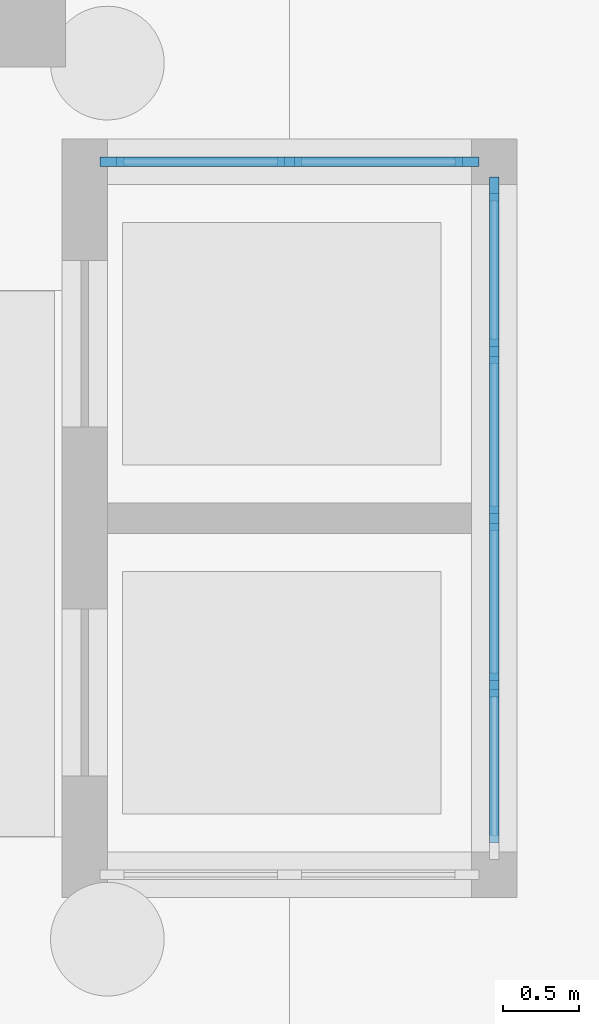
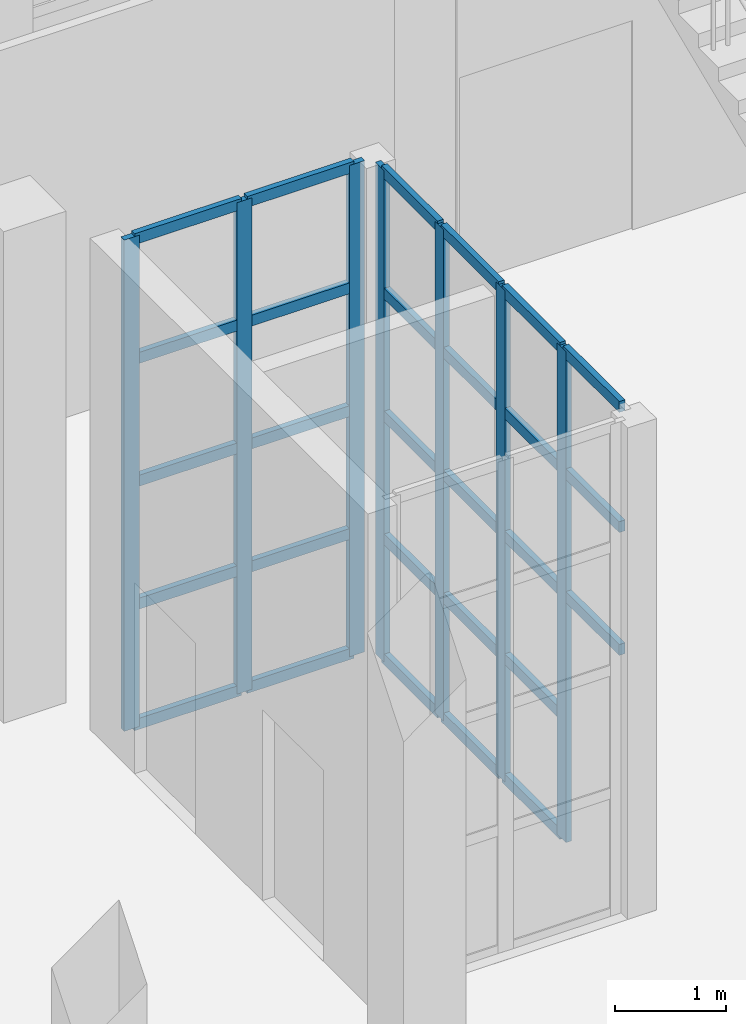
# One storey, part 12 of 80: 35 members, 2 elements without a shape of their own.
"""IFC4 building model written with IfcOpenShell, lengths in metres."""

from ifc_helpers import new_model, si_unit, direction, frame, origin, origin_2d, place, context, subcontext, project, spatial, rectangle, extrude, material, layer, layer_set, material_profile, profile_set, type_object, element, aggregate, save


model = new_model("IFC4")

# Units and contexts
model_context = context("Model", 3, precision=1e-05, world=origin(), true_north=direction((0.0, 1.0)))
body_context = subcontext(model_context, "Body", "Model", "MODEL_VIEW")
ifc_project = project(units=[si_unit("LENGTHUNIT", "METRE"), si_unit("AREAUNIT", "SQUARE_METRE"), si_unit("VOLUMEUNIT", "CUBIC_METRE"), si_unit("PLANEANGLEUNIT", "RADIAN"), si_unit("MASSUNIT", "GRAM", prefix="KILO")], contexts=[model_context])

# Site, building, storey
site_placement = place(None, origin())
site = spatial("IfcSite", under=ifc_project, at=site_placement, CompositionType="ELEMENT")
building_placement = place(site_placement, origin())
building = spatial("IfcBuilding", under=site, at=building_placement, Name="Ussher Court Research Institute", CompositionType="ELEMENT")
storey_placement = place(building_placement, origin())
storey = spatial("IfcBuildingStorey", under=building, at=storey_placement, Name="L00", CompositionType="ELEMENT", Elevation=0.0)

# Curtain wall, members
ifc_material_1 = material(Name="Bronze anodised aluminium with low-e glass", Category="aluminium")
ifc_layer = layer(ifc_material_1, 0.1201171875)
ifc_layer_set = layer_set([ifc_layer], Name="Bronze anodised aluminium with low-e glass")
curtain_wall_type = type_object("IfcCurtainWallType", Name="Curtain wall atrium clear glazing", PredefinedType="NOTDEFINED", material=ifc_layer_set)
curtain_wall_1_placement = place(storey_placement, origin())
curtain_wall_1 = element("IfcCurtainWall", 1, at=curtain_wall_1_placement, inside=storey, type_object=curtain_wall_type, Name="Curtain wall CW2 lift shaft L00", PredefinedType="NOTDEFINED")
ifc_material_2 = material(Name="Bronze anodised aluminium", Category="aluminium")
ifc_material_profile_1 = material_profile(ifc_material_2, rectangle(XDim=0.06005859375, YDim=0.159912109375, at=origin_2d()), Name="Mullion 60x160")
ifc_profile_set_1 = profile_set([ifc_material_profile_1], Name="Bronze anodised aluminium")
member_type_1 = type_object("IfcMemberType", Name="Mullion 60x160", PredefinedType="MULLION", material=ifc_profile_set_1)
member_1_placement = place(storey_placement, frame((42.929931640625, 31.85009765625, 0.0), z_axis=(0.0, 0.0, 1.0), x_axis=(0.0, 1.0, 0.0)))
member_1 = element("IfcMember", 2, at=member_1_placement, type_object=member_type_1, Name="CW2 mullion 1", PredefinedType="MULLION", context=body_context, shape_type="SweptSolid", body=[
    extrude(rectangle(XDim=0.06005859375, YDim=0.159912109375, at=origin_2d()), origin(), (0.0, 0.0, 1.0), 5.39990234375),
])
member_2_placement = place(storey_placement, frame((44.10009765625, 31.85009765625, 0.0), z_axis=(0.0, 0.0, 1.0), x_axis=(0.0, 1.0, 0.0)))
member_2 = element("IfcMember", 3, at=member_2_placement, type_object=member_type_1, Name="CW2 mullion 2", PredefinedType="MULLION", context=body_context, shape_type="SweptSolid", body=[
    extrude(rectangle(XDim=0.06005859375, YDim=0.159912109375, at=origin_2d()), origin(), (0.0, 0.0, 1.0), 5.39990234375),
])
member_3_placement = place(storey_placement, frame((45.27001953125, 31.85009765625, 0.0), z_axis=(0.0, 0.0, 1.0), x_axis=(0.0, 1.0, 0.0)))
member_3 = element("IfcMember", 4, at=member_3_placement, type_object=member_type_1, Name="CW2 mullion 3", PredefinedType="MULLION", context=body_context, shape_type="SweptSolid", body=[
    extrude(rectangle(XDim=0.06005859375, YDim=0.159912109375, at=origin_2d()), origin(), (0.0, 0.0, 1.0), 5.39990234375),
])

curtain_wall_2_placement = place(storey_placement, origin())
curtain_wall_2 = element("IfcCurtainWall", 5, at=curtain_wall_2_placement, inside=storey, type_object=curtain_wall_type, Name="Curtain wall CW2 lift shaft L00", PredefinedType="NOTDEFINED")
member_4_placement = place(storey_placement, frame((45.449951171875, 28.39990234375, 0.0), z_axis=(0.0, 0.0, 1.0), x_axis=(-1.0, 0.0, 0.0)))
member_4 = element("IfcMember", 6, at=member_4_placement, type_object=member_type_1, Name="CW2 mullion 2", PredefinedType="MULLION", context=body_context, shape_type="SweptSolid", body=[
    extrude(rectangle(XDim=0.06005859375, YDim=0.159912109375, at=origin_2d()), origin(), (0.0, 0.0, 1.0), 5.39990234375),
])
member_5_placement = place(storey_placement, frame((45.449951171875, 29.5, 0.0), z_axis=(0.0, 0.0, 1.0), x_axis=(-1.0, 0.0, 0.0)))
member_5 = element("IfcMember", 7, at=member_5_placement, type_object=member_type_1, Name="CW2 mullion 3", PredefinedType="MULLION", context=body_context, shape_type="SweptSolid", body=[
    extrude(rectangle(XDim=0.06005859375, YDim=0.159912109375, at=origin_2d()), origin(), (0.0, 0.0, 1.0), 5.39990234375),
])
member_6_placement = place(storey_placement, frame((45.449951171875, 30.60009765625, 0.0), z_axis=(0.0, 0.0, 1.0), x_axis=(-1.0, 0.0, 0.0)))
member_6 = element("IfcMember", 8, at=member_6_placement, type_object=member_type_1, Name="CW2 mullion 4", PredefinedType="MULLION", context=body_context, shape_type="SweptSolid", body=[
    extrude(rectangle(XDim=0.06005859375, YDim=0.159912109375, at=origin_2d()), origin(), (0.0, 0.0, 1.0), 5.39990234375),
])
member_7_placement = place(storey_placement, frame((45.449951171875, 31.669921875, 0.0), z_axis=(0.0, 0.0, 1.0), x_axis=(-1.0, 0.0, 0.0)))
member_7 = element("IfcMember", 9, at=member_7_placement, type_object=member_type_1, Name="CW2 mullion 5", PredefinedType="MULLION", context=body_context, shape_type="SweptSolid", body=[
    extrude(rectangle(XDim=0.06005859375, YDim=0.159912109375, at=origin_2d()), origin(), (0.0, 0.0, 1.0), 5.39990234375),
])

# Member
ifc_material_3 = material(Name="Bronze anodised aluminium", Category="aluminium")
ifc_material_profile_2 = material_profile(ifc_material_3, rectangle(XDim=0.06005859375, YDim=0.1201171875, at=origin_2d()), Name="Transom 60x120")
ifc_profile_set_2 = profile_set([ifc_material_profile_2], Name="Bronze anodised aluminium")
member_type_2 = type_object("IfcMemberType", Name="Transom 60x120", PredefinedType="USERDEFINED", material=ifc_profile_set_2)
member_8_placement = place(storey_placement, frame((42.9599609375, 31.85009765625, 0.030029296875), z_axis=(1.0, 0.0, 0.0), x_axis=(0.0, 1.0, 0.0)))
member_8 = element("IfcMember", 10, at=member_8_placement, type_object=member_type_2, Name="CW2 transom 1.1", ObjectType="TRANSOM", PredefinedType="USERDEFINED", context=body_context, shape_type="SweptSolid", body=[
    extrude(rectangle(XDim=0.06005859375, YDim=0.1201171875, at=origin_2d()), origin(), (0.0, 0.0, 1.0), 1.110107421875),
])

member_9_placement = place(storey_placement, frame((42.9599609375, 31.85009765625, 1.35009765625), z_axis=(1.0, 0.0, 0.0), x_axis=(0.0, 1.0, 0.0)))
member_9 = element("IfcMember", 11, at=member_9_placement, type_object=member_type_2, Name="CW2 transom 1.2", ObjectType="TRANSOM", PredefinedType="USERDEFINED", context=body_context, shape_type="SweptSolid", body=[
    extrude(rectangle(XDim=0.06005859375, YDim=0.1201171875, at=origin_2d()), origin(), (0.0, 0.0, 1.0), 1.110107421875),
])

member_10_placement = place(storey_placement, frame((42.9599609375, 31.85009765625, 2.699951171875), z_axis=(1.0, 0.0, 0.0), x_axis=(0.0, 1.0, 0.0)))
member_10 = element("IfcMember", 12, at=member_10_placement, type_object=member_type_2, Name="CW2 transom 1.3", ObjectType="TRANSOM", PredefinedType="USERDEFINED", context=body_context, shape_type="SweptSolid", body=[
    extrude(rectangle(XDim=0.06005859375, YDim=0.1201171875, at=origin_2d()), origin(), (0.0, 0.0, 1.0), 1.110107421875),
])

member_11_placement = place(storey_placement, frame((42.9599609375, 31.85009765625, 4.050048828125), z_axis=(1.0, 0.0, 0.0), x_axis=(0.0, 1.0, 0.0)))
member_11 = element("IfcMember", 13, at=member_11_placement, type_object=member_type_2, Name="CW2 transom 1.4", ObjectType="TRANSOM", PredefinedType="USERDEFINED", context=body_context, shape_type="SweptSolid", body=[
    extrude(rectangle(XDim=0.06005859375, YDim=0.1201171875, at=origin_2d()), origin(), (0.0, 0.0, 1.0), 1.110107421875),
])

member_12_placement = place(storey_placement, frame((42.9599609375, 31.85009765625, 5.3701171875), z_axis=(1.0, 0.0, 0.0), x_axis=(0.0, 1.0, 0.0)))
member_12 = element("IfcMember", 14, at=member_12_placement, type_object=member_type_2, Name="CW2 transom 1.5", ObjectType="TRANSOM", PredefinedType="USERDEFINED", context=body_context, shape_type="SweptSolid", body=[
    extrude(rectangle(XDim=0.06005859375, YDim=0.1201171875, at=origin_2d()), origin(), (0.0, 0.0, 1.0), 1.110107421875),
])

member_13_placement = place(storey_placement, frame((44.1298828125, 31.85009765625, 0.030029296875), z_axis=(1.0, 0.0, 0.0), x_axis=(0.0, 1.0, 0.0)))
member_13 = element("IfcMember", 15, at=member_13_placement, type_object=member_type_2, Name="CW2 transom 2.1", ObjectType="TRANSOM", PredefinedType="USERDEFINED", context=body_context, shape_type="SweptSolid", body=[
    extrude(rectangle(XDim=0.06005859375, YDim=0.1201171875, at=origin_2d()), origin(), (0.0, 0.0, 1.0), 1.110107421875),
])

member_14_placement = place(storey_placement, frame((44.1298828125, 31.85009765625, 1.35009765625), z_axis=(1.0, 0.0, 0.0), x_axis=(0.0, 1.0, 0.0)))
member_14 = element("IfcMember", 16, at=member_14_placement, type_object=member_type_2, Name="CW2 transom 2.2", ObjectType="TRANSOM", PredefinedType="USERDEFINED", context=body_context, shape_type="SweptSolid", body=[
    extrude(rectangle(XDim=0.06005859375, YDim=0.1201171875, at=origin_2d()), origin(), (0.0, 0.0, 1.0), 1.110107421875),
])

member_15_placement = place(storey_placement, frame((44.1298828125, 31.85009765625, 2.699951171875), z_axis=(1.0, 0.0, 0.0), x_axis=(0.0, 1.0, 0.0)))
member_15 = element("IfcMember", 17, at=member_15_placement, type_object=member_type_2, Name="CW2 transom 2.3", ObjectType="TRANSOM", PredefinedType="USERDEFINED", context=body_context, shape_type="SweptSolid", body=[
    extrude(rectangle(XDim=0.06005859375, YDim=0.1201171875, at=origin_2d()), origin(), (0.0, 0.0, 1.0), 1.110107421875),
])

member_16_placement = place(storey_placement, frame((44.1298828125, 31.85009765625, 4.050048828125), z_axis=(1.0, 0.0, 0.0), x_axis=(0.0, 1.0, 0.0)))
member_16 = element("IfcMember", 18, at=member_16_placement, type_object=member_type_2, Name="CW2 transom 2.4", ObjectType="TRANSOM", PredefinedType="USERDEFINED", context=body_context, shape_type="SweptSolid", body=[
    extrude(rectangle(XDim=0.06005859375, YDim=0.1201171875, at=origin_2d()), origin(), (0.0, 0.0, 1.0), 1.110107421875),
])

member_17_placement = place(storey_placement, frame((44.1298828125, 31.85009765625, 5.3701171875), z_axis=(1.0, 0.0, 0.0), x_axis=(0.0, 1.0, 0.0)))
member_17 = element("IfcMember", 19, at=member_17_placement, type_object=member_type_2, Name="CW2 transom 2.5", ObjectType="TRANSOM", PredefinedType="USERDEFINED", context=body_context, shape_type="SweptSolid", body=[
    extrude(rectangle(XDim=0.06005859375, YDim=0.1201171875, at=origin_2d()), origin(), (0.0, 0.0, 1.0), 1.110107421875),
])

aggregate(curtain_wall_1, [member_1, member_2, member_3, member_8, member_9, member_10, member_11, member_12, member_13, member_14, member_15, member_16, member_17])

member_18_placement = place(storey_placement, frame((45.449951171875, 27.360107421875, 2.699951171875), z_axis=(0.0, 1.0, 0.0), x_axis=(-1.0, 0.0, 0.0)))
member_18 = element("IfcMember", 20, at=member_18_placement, type_object=member_type_2, Name="CW2 transom 1.3", ObjectType="TRANSOM", PredefinedType="USERDEFINED", context=body_context, shape_type="SweptSolid", body=[
    extrude(rectangle(XDim=0.06005859375, YDim=0.1201171875, at=origin_2d()), origin(), (0.0, 0.0, 1.0), 1.010009765625),
])

member_19_placement = place(storey_placement, frame((45.449951171875, 27.360107421875, 4.050048828125), z_axis=(0.0, 1.0, 0.0), x_axis=(-1.0, 0.0, 0.0)))
member_19 = element("IfcMember", 21, at=member_19_placement, type_object=member_type_2, Name="CW2 transom 1.4", ObjectType="TRANSOM", PredefinedType="USERDEFINED", context=body_context, shape_type="SweptSolid", body=[
    extrude(rectangle(XDim=0.06005859375, YDim=0.1201171875, at=origin_2d()), origin(), (0.0, 0.0, 1.0), 1.010009765625),
])

member_20_placement = place(storey_placement, frame((45.449951171875, 27.360107421875, 5.3701171875), z_axis=(0.0, 1.0, 0.0), x_axis=(-1.0, 0.0, 0.0)))
member_20 = element("IfcMember", 22, at=member_20_placement, type_object=member_type_2, Name="CW2 transom 1.5", ObjectType="TRANSOM", PredefinedType="USERDEFINED", context=body_context, shape_type="SweptSolid", body=[
    extrude(rectangle(XDim=0.06005859375, YDim=0.1201171875, at=origin_2d()), origin(), (0.0, 0.0, 1.0), 1.010009765625),
])

member_21_placement = place(storey_placement, frame((45.449951171875, 28.429931640625, 0.030029296875), z_axis=(0.0, 1.0, 0.0), x_axis=(-1.0, 0.0, 0.0)))
member_21 = element("IfcMember", 23, at=member_21_placement, type_object=member_type_2, Name="CW2 transom 2.1", ObjectType="TRANSOM", PredefinedType="USERDEFINED", context=body_context, shape_type="SweptSolid", body=[
    extrude(rectangle(XDim=0.06005859375, YDim=0.1201171875, at=origin_2d()), origin(), (0.0, 0.0, 1.0), 1.0400390625),
])

member_22_placement = place(storey_placement, frame((45.449951171875, 28.429931640625, 1.35009765625), z_axis=(0.0, 1.0, 0.0), x_axis=(-1.0, 0.0, 0.0)))
member_22 = element("IfcMember", 24, at=member_22_placement, type_object=member_type_2, Name="CW2 transom 2.2", ObjectType="TRANSOM", PredefinedType="USERDEFINED", context=body_context, shape_type="SweptSolid", body=[
    extrude(rectangle(XDim=0.06005859375, YDim=0.1201171875, at=origin_2d()), origin(), (0.0, 0.0, 1.0), 1.0400390625),
])

member_23_placement = place(storey_placement, frame((45.449951171875, 28.429931640625, 2.699951171875), z_axis=(0.0, 1.0, 0.0), x_axis=(-1.0, 0.0, 0.0)))
member_23 = element("IfcMember", 25, at=member_23_placement, type_object=member_type_2, Name="CW2 transom 2.3", ObjectType="TRANSOM", PredefinedType="USERDEFINED", context=body_context, shape_type="SweptSolid", body=[
    extrude(rectangle(XDim=0.06005859375, YDim=0.1201171875, at=origin_2d()), origin(), (0.0, 0.0, 1.0), 1.0400390625),
])

member_24_placement = place(storey_placement, frame((45.449951171875, 28.429931640625, 4.050048828125), z_axis=(0.0, 1.0, 0.0), x_axis=(-1.0, 0.0, 0.0)))
member_24 = element("IfcMember", 26, at=member_24_placement, type_object=member_type_2, Name="CW2 transom 2.4", ObjectType="TRANSOM", PredefinedType="USERDEFINED", context=body_context, shape_type="SweptSolid", body=[
    extrude(rectangle(XDim=0.06005859375, YDim=0.1201171875, at=origin_2d()), origin(), (0.0, 0.0, 1.0), 1.0400390625),
])

member_25_placement = place(storey_placement, frame((45.449951171875, 28.429931640625, 5.3701171875), z_axis=(0.0, 1.0, 0.0), x_axis=(-1.0, 0.0, 0.0)))
member_25 = element("IfcMember", 27, at=member_25_placement, type_object=member_type_2, Name="CW2 transom 2.5", ObjectType="TRANSOM", PredefinedType="USERDEFINED", context=body_context, shape_type="SweptSolid", body=[
    extrude(rectangle(XDim=0.06005859375, YDim=0.1201171875, at=origin_2d()), origin(), (0.0, 0.0, 1.0), 1.0400390625),
])

member_26_placement = place(storey_placement, frame((45.449951171875, 29.530029296875, 0.030029296875), z_axis=(0.0, 1.0, 0.0), x_axis=(-1.0, 0.0, 0.0)))
member_26 = element("IfcMember", 28, at=member_26_placement, type_object=member_type_2, Name="CW2 transom 3.1", ObjectType="TRANSOM", PredefinedType="USERDEFINED", context=body_context, shape_type="SweptSolid", body=[
    extrude(rectangle(XDim=0.06005859375, YDim=0.1201171875, at=origin_2d()), origin(), (0.0, 0.0, 1.0), 1.0400390625),
])

member_27_placement = place(storey_placement, frame((45.449951171875, 29.530029296875, 1.35009765625), z_axis=(0.0, 1.0, 0.0), x_axis=(-1.0, 0.0, 0.0)))
member_27 = element("IfcMember", 29, at=member_27_placement, type_object=member_type_2, Name="CW2 transom 3.2", ObjectType="TRANSOM", PredefinedType="USERDEFINED", context=body_context, shape_type="SweptSolid", body=[
    extrude(rectangle(XDim=0.06005859375, YDim=0.1201171875, at=origin_2d()), origin(), (0.0, 0.0, 1.0), 1.0400390625),
])

member_28_placement = place(storey_placement, frame((45.449951171875, 29.530029296875, 2.699951171875), z_axis=(0.0, 1.0, 0.0), x_axis=(-1.0, 0.0, 0.0)))
member_28 = element("IfcMember", 30, at=member_28_placement, type_object=member_type_2, Name="CW2 transom 3.3", ObjectType="TRANSOM", PredefinedType="USERDEFINED", context=body_context, shape_type="SweptSolid", body=[
    extrude(rectangle(XDim=0.06005859375, YDim=0.1201171875, at=origin_2d()), origin(), (0.0, 0.0, 1.0), 1.0400390625),
])

member_29_placement = place(storey_placement, frame((45.449951171875, 29.530029296875, 4.050048828125), z_axis=(0.0, 1.0, 0.0), x_axis=(-1.0, 0.0, 0.0)))
member_29 = element("IfcMember", 31, at=member_29_placement, type_object=member_type_2, Name="CW2 transom 3.4", ObjectType="TRANSOM", PredefinedType="USERDEFINED", context=body_context, shape_type="SweptSolid", body=[
    extrude(rectangle(XDim=0.06005859375, YDim=0.1201171875, at=origin_2d()), origin(), (0.0, 0.0, 1.0), 1.0400390625),
])

member_30_placement = place(storey_placement, frame((45.449951171875, 29.530029296875, 5.3701171875), z_axis=(0.0, 1.0, 0.0), x_axis=(-1.0, 0.0, 0.0)))
member_30 = element("IfcMember", 32, at=member_30_placement, type_object=member_type_2, Name="CW2 transom 3.5", ObjectType="TRANSOM", PredefinedType="USERDEFINED", context=body_context, shape_type="SweptSolid", body=[
    extrude(rectangle(XDim=0.06005859375, YDim=0.1201171875, at=origin_2d()), origin(), (0.0, 0.0, 1.0), 1.0400390625),
])

member_31_placement = place(storey_placement, frame((45.449951171875, 30.6298828125, 0.030029296875), z_axis=(0.0, 1.0, 0.0), x_axis=(-1.0, 0.0, 0.0)))
member_31 = element("IfcMember", 33, at=member_31_placement, type_object=member_type_2, Name="CW2 transom 4.1", ObjectType="TRANSOM", PredefinedType="USERDEFINED", context=body_context, shape_type="SweptSolid", body=[
    extrude(rectangle(XDim=0.06005859375, YDim=0.1201171875, at=origin_2d()), origin(), (0.0, 0.0, 1.0), 1.010009765625),
])

member_32_placement = place(storey_placement, frame((45.449951171875, 30.6298828125, 1.35009765625), z_axis=(0.0, 1.0, 0.0), x_axis=(-1.0, 0.0, 0.0)))
member_32 = element("IfcMember", 34, at=member_32_placement, type_object=member_type_2, Name="CW2 transom 4.2", ObjectType="TRANSOM", PredefinedType="USERDEFINED", context=body_context, shape_type="SweptSolid", body=[
    extrude(rectangle(XDim=0.06005859375, YDim=0.1201171875, at=origin_2d()), origin(), (0.0, 0.0, 1.0), 1.010009765625),
])

member_33_placement = place(storey_placement, frame((45.449951171875, 30.6298828125, 2.699951171875), z_axis=(0.0, 1.0, 0.0), x_axis=(-1.0, 0.0, 0.0)))
member_33 = element("IfcMember", 35, at=member_33_placement, type_object=member_type_2, Name="CW2 transom 4.3", ObjectType="TRANSOM", PredefinedType="USERDEFINED", context=body_context, shape_type="SweptSolid", body=[
    extrude(rectangle(XDim=0.06005859375, YDim=0.1201171875, at=origin_2d()), origin(), (0.0, 0.0, 1.0), 1.010009765625),
])

member_34_placement = place(storey_placement, frame((45.449951171875, 30.6298828125, 4.050048828125), z_axis=(0.0, 1.0, 0.0), x_axis=(-1.0, 0.0, 0.0)))
member_34 = element("IfcMember", 36, at=member_34_placement, type_object=member_type_2, Name="CW2 transom 4.4", ObjectType="TRANSOM", PredefinedType="USERDEFINED", context=body_context, shape_type="SweptSolid", body=[
    extrude(rectangle(XDim=0.06005859375, YDim=0.1201171875, at=origin_2d()), origin(), (0.0, 0.0, 1.0), 1.010009765625),
])

member_35_placement = place(storey_placement, frame((45.449951171875, 30.6298828125, 5.3701171875), z_axis=(0.0, 1.0, 0.0), x_axis=(-1.0, 0.0, 0.0)))
member_35 = element("IfcMember", 37, at=member_35_placement, type_object=member_type_2, Name="CW2 transom 4.5", ObjectType="TRANSOM", PredefinedType="USERDEFINED", context=body_context, shape_type="SweptSolid", body=[
    extrude(rectangle(XDim=0.06005859375, YDim=0.1201171875, at=origin_2d()), origin(), (0.0, 0.0, 1.0), 1.010009765625),
])

aggregate(curtain_wall_2, [member_4, member_5, member_6, member_7, member_18, member_19, member_20, member_21, member_22, member_23, member_24, member_25, member_26, member_27, member_28, member_29, member_30, member_31, member_32, member_33, member_34, member_35])

save(model, "model.ifc")
